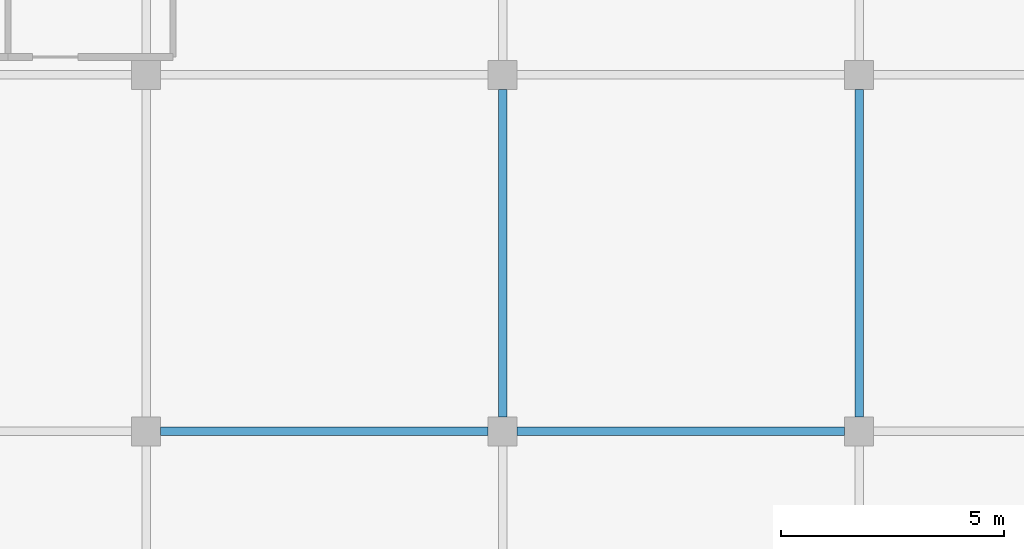
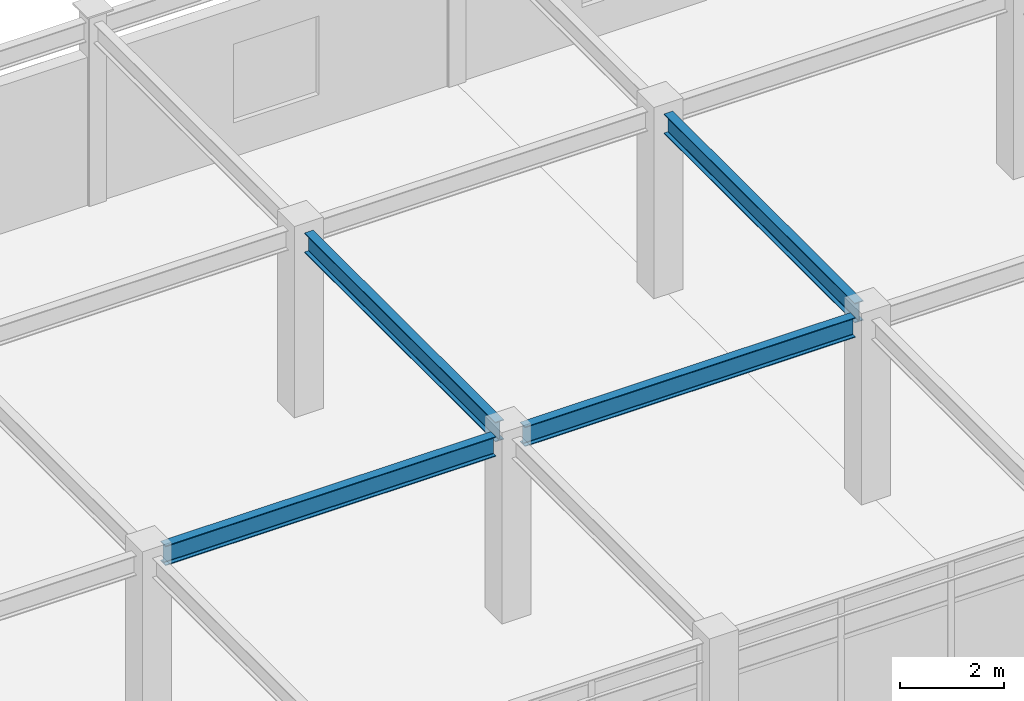
# One storey, part 45 of 78: 4 beams.
"""IFC4 building model written with IfcOpenShell, lengths in metres."""

from ifc_helpers import new_model, si_unit, direction, frame, origin, origin_2d, place, context, subcontext, project, spatial, i_section, extrude, material, material_profile, profile_set, type_object, element, save


model = new_model("IFC4")

# Units and contexts
model_context = context("Model", 3, precision=1e-05, world=origin(), true_north=direction((0.0, 1.0)))
body_context = subcontext(model_context, "Body", "Model", "MODEL_VIEW")
ifc_project = project(units=[si_unit("LENGTHUNIT", "METRE"), si_unit("AREAUNIT", "SQUARE_METRE"), si_unit("VOLUMEUNIT", "CUBIC_METRE"), si_unit("PLANEANGLEUNIT", "RADIAN"), si_unit("MASSUNIT", "GRAM", prefix="KILO")], contexts=[model_context])

# Site, building, storey
site_placement = place(None, origin())
site = spatial("IfcSite", under=ifc_project, at=site_placement, CompositionType="ELEMENT")
building_placement = place(site_placement, origin())
building = spatial("IfcBuilding", under=site, at=building_placement, Name="Solmirada Galleria", CompositionType="ELEMENT")
storey_placement = place(building_placement, frame((0.0, 0.0, 23.89990234375)))
storey = spatial("IfcBuildingStorey", under=building, at=storey_placement, Name="L05", CompositionType="ELEMENT", Elevation=23.89990234375)

# Beams
ifc_material = material(Name="Steel S355 / ASTM A992 Grade 50", Category="steel")
ifc_material_profile = material_profile(ifc_material, i_section(OverallWidth=0.193115234375, OverallDepth=0.466064453125, WebThickness=0.011474609375, FlangeThickness=0.01904296875, FilletRadius=0.013916015625, at=origin_2d()), Name="W18X65")
ifc_profile_set = profile_set([ifc_material_profile], Name="Steel S355 / ASTM A992 Grade 50")
beam_type = type_object("IfcBeamType", Name="BM-GIRD-W18C", PredefinedType="BEAM", material=ifc_profile_set)
for number, where, z_axis, x_axis, name in (
    (1, (64.324951171875, 104.0, 4.0400390625), (1.0, 0.0, 0.0), (0.0, 1.0, 0.0), "North roof girder X=64..72"),
    (2, (72.324951171875, 104.0, 4.0400390625), (1.0, 0.0, 0.0), (0.0, 1.0, 0.0), "North roof girder X=72..80"),
    (3, (72.0, 104.324951171875, 4.0400390625), (0.0, 1.0, 0.0), (-1.0, 0.0, 0.0), "North roof girder Y=104..112"),
    (4, (80.0, 104.324951171875, 4.0400390625), (0.0, 1.0, 0.0), (-1.0, 0.0, 0.0), "North roof girder Y=104..112"),
):
    element("IfcBeam", number, at=place(storey_placement, frame(where, z_axis=z_axis, x_axis=x_axis)), inside=storey, type_object=beam_type, Name=name, PredefinedType="BEAM", context=body_context, shape_type="SweptSolid", body=[
        extrude(i_section(OverallWidth=0.193115234375, OverallDepth=0.466064453125, WebThickness=0.011474609375, FlangeThickness=0.01904296875, FilletRadius=0.013916015625, at=origin_2d()), origin(), (0.0, 0.0, 1.0), 7.35009765625),
    ])

save(model, "model.ifc")
